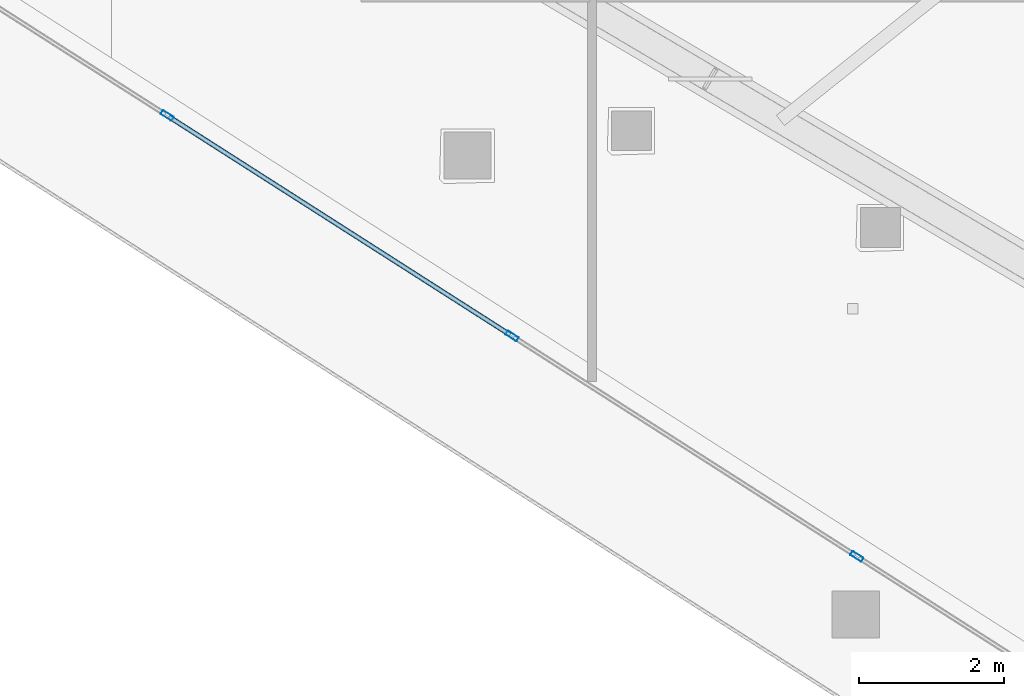
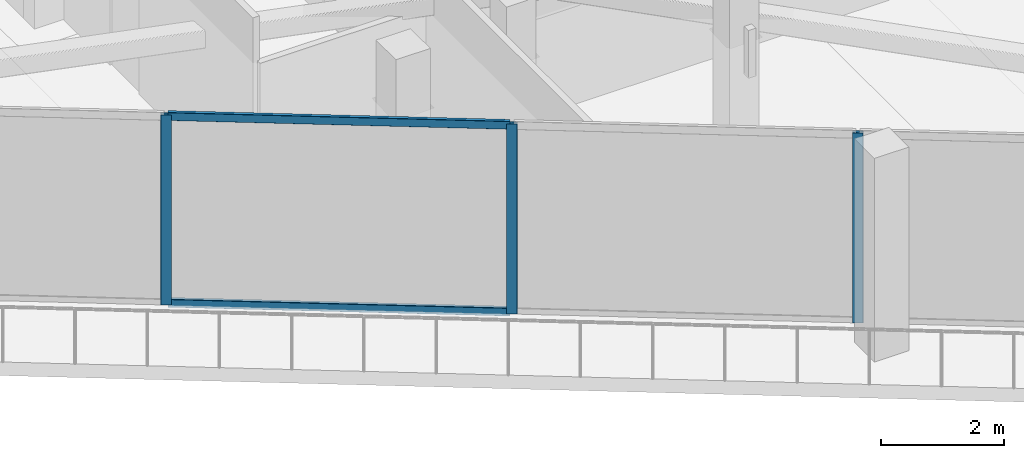
# One storey, part 3 of 39: 5 members, 1 element without a shape of its own.
"""IFC4 building model written with IfcOpenShell, lengths in metres."""

from ifc_helpers import new_model, si_unit, direction, frame, origin, origin_2d, place, context, subcontext, project, spatial, hollow_rectangle, extrude, material, layer, layer_set, material_profile, profile_set, type_object, element, aggregate, save


model = new_model("IFC4")

# Units and contexts
model_context = context("Model", 3, precision=1e-05, world=origin(), true_north=direction((0.0, 1.0)))
body_context = subcontext(model_context, "Body", "Model", "MODEL_VIEW")
ifc_project = project(units=[si_unit("LENGTHUNIT", "METRE"), si_unit("AREAUNIT", "SQUARE_METRE"), si_unit("VOLUMEUNIT", "CUBIC_METRE"), si_unit("PLANEANGLEUNIT", "RADIAN"), si_unit("MASSUNIT", "GRAM", prefix="KILO")], contexts=[model_context])

# Site, building, storey
site_placement = place(None, origin())
site = spatial("IfcSite", under=ifc_project, at=site_placement, CompositionType="ELEMENT")
building_placement = place(site_placement, origin())
building = spatial("IfcBuilding", under=site, at=building_placement, Name="Qorvath Tower", CompositionType="ELEMENT")
storey_placement = place(building_placement, frame((0.0, 0.0, 201.0)))
storey = spatial("IfcBuildingStorey", under=building, at=storey_placement, Name="L46", CompositionType="ELEMENT", Elevation=201.0)

# Curtain wall, members
ifc_material_1 = material(Name="Anodised aluminium and triple low-E glass", Category="aluminium")
ifc_layer = layer(ifc_material_1, 0.179931640625)
ifc_layer_set = layer_set([ifc_layer], Name="CW-SYS-3")
curtain_wall_type = type_object("IfcCurtainWallType", Name="CW-SYS-3", PredefinedType="NOTDEFINED", material=ifc_layer_set)
curtain_wall_placement = place(storey_placement, origin())
curtain_wall = element("IfcCurtainWall", 1, at=curtain_wall_placement, inside=storey, type_object=curtain_wall_type, Name="Curtain Wall CW-3 CW-T-L46-2.1", PredefinedType="NOTDEFINED")
ifc_material_2 = material(Name="Anodised aluminium 6063-T6", Category="aluminium")
ifc_material_profile_1 = material_profile(ifc_material_2, hollow_rectangle(XDim=0.06494140625, YDim=0.179931640625, WallThickness=0.00341796875, InnerFilletRadius=0.00341796875, OuterFilletRadius=0.007080078125, at=origin_2d()), Name="CWM 180x65")
ifc_profile_set_1 = profile_set([ifc_material_profile_1], Name="Anodised aluminium 6063-T6")
member_type_1 = type_object("IfcMemberType", Name="CWM-180", PredefinedType="MULLION", material=ifc_profile_set_1)
member_1_placement = place(storey_placement, frame((-40.50537109375, -12.583740234375, 0.0), z_axis=(0.0, 0.0, 1.0), x_axis=(0.538533623725, 0.842604020948, 0.0)))
member_1 = element("IfcMember", 2, at=member_1_placement, type_object=member_type_1, Name="CW-3 mullion 4", PredefinedType="MULLION", context=body_context, shape_type="SweptSolid", body=[
    extrude(hollow_rectangle(XDim=0.06494140625, YDim=0.179931640625, WallThickness=0.00341796875, InnerFilletRadius=0.00341796875, OuterFilletRadius=0.007080078125, at=origin_2d()), origin(), (0.0, 0.0, 1.0), 3.780029296875),
])
member_2_placement = place(storey_placement, frame((-35.752685546875, -15.62109375, 0.0), z_axis=(0.0, 0.0, 1.0), x_axis=(0.538533623725, 0.842604020948, 0.0)))
member_2 = element("IfcMember", 3, at=member_2_placement, type_object=member_type_1, Name="CW-3 mullion 5", PredefinedType="MULLION", context=body_context, shape_type="SweptSolid", body=[
    extrude(hollow_rectangle(XDim=0.06494140625, YDim=0.179931640625, WallThickness=0.00341796875, InnerFilletRadius=0.00341796875, OuterFilletRadius=0.007080078125, at=origin_2d()), origin(), (0.0, 0.0, 1.0), 3.780029296875),
])
member_3_placement = place(storey_placement, frame((-31.000244140625, -18.65869140625, 0.0), z_axis=(0.0, 0.0, 1.0), x_axis=(0.538533623725, 0.842604020948, 0.0)))
member_3 = element("IfcMember", 4, at=member_3_placement, type_object=member_type_1, Name="CW-3 mullion 6", PredefinedType="MULLION", context=body_context, shape_type="SweptSolid", body=[
    extrude(hollow_rectangle(XDim=0.06494140625, YDim=0.179931640625, WallThickness=0.00341796875, InnerFilletRadius=0.00341796875, OuterFilletRadius=0.007080078125, at=origin_2d()), origin(), (0.0, 0.0, 1.0), 3.780029296875),
])
ifc_material_3 = material(Name="Anodised aluminium 6063-T6", Category="aluminium")
ifc_material_profile_2 = material_profile(ifc_material_3, hollow_rectangle(XDim=0.06494140625, YDim=0.159912109375, WallThickness=0.00341796875, InnerFilletRadius=0.00341796875, OuterFilletRadius=0.007080078125, at=origin_2d()), Name="CWT 160x65")
ifc_profile_set_2 = profile_set([ifc_material_profile_2], Name="Anodised aluminium 6063-T6")
member_type_2 = type_object("IfcMemberType", Name="CWT-160", PredefinedType="USERDEFINED", material=ifc_profile_set_2)
member_4_placement = place(storey_placement, frame((-40.477783203125, -12.601318359375, 0.032470703125), z_axis=(0.842594144247, -0.538549076761, 0.0), x_axis=(0.538549076761, 0.842594144247, 0.0)))
member_4 = element("IfcMember", 5, at=member_4_placement, type_object=member_type_2, Name="CW-3 transom 4.1", ObjectType="TRANSOM", PredefinedType="USERDEFINED", context=body_context, shape_type="SweptSolid", body=[
    extrude(hollow_rectangle(XDim=0.06494140625, YDim=0.159912109375, WallThickness=0.00341796875, InnerFilletRadius=0.00341796875, OuterFilletRadius=0.007080078125, at=origin_2d()), origin(), (0.0, 0.0, 1.0), 5.574951171875),
])
member_5_placement = place(storey_placement, frame((-40.477783203125, -12.601318359375, 3.74755859375), z_axis=(0.842594144247, -0.538549076761, 0.0), x_axis=(0.538549076761, 0.842594144247, 0.0)))
member_5 = element("IfcMember", 6, at=member_5_placement, type_object=member_type_2, Name="CW-3 transom 4.2", ObjectType="TRANSOM", PredefinedType="USERDEFINED", context=body_context, shape_type="SweptSolid", body=[
    extrude(hollow_rectangle(XDim=0.06494140625, YDim=0.159912109375, WallThickness=0.00341796875, InnerFilletRadius=0.00341796875, OuterFilletRadius=0.007080078125, at=origin_2d()), origin(), (0.0, 0.0, 1.0), 5.574951171875),
])
aggregate(curtain_wall, [member_1, member_2, member_3, member_4, member_5])

save(model, "model.ifc")
